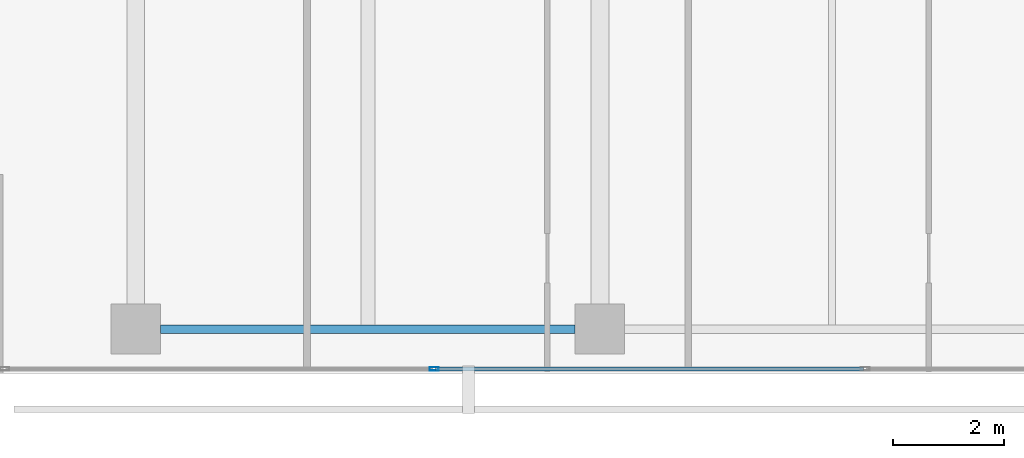
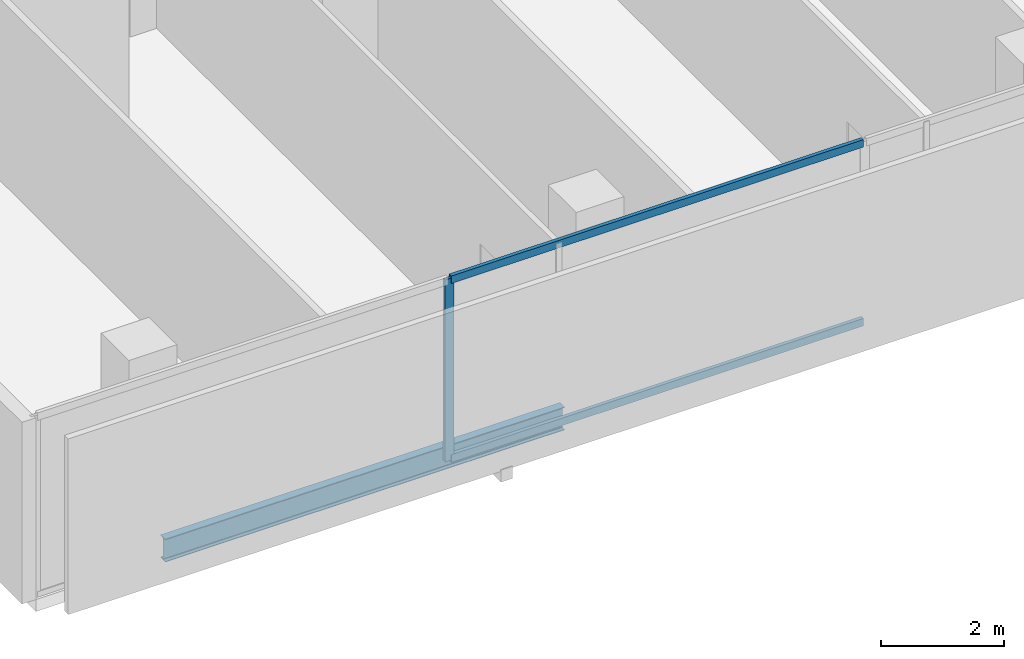
# One storey, part 3 of 40: 3 members, 1 beam, 1 element without a shape of its own.
"""IFC4 building model written with IfcOpenShell, lengths in metres."""

from ifc_helpers import new_model, si_unit, direction, frame, origin, origin_2d, place, context, subcontext, project, spatial, hollow_rectangle, i_section, extrude, material, layer, layer_set, material_profile, profile_set, type_object, element, aggregate, save


model = new_model("IFC4")

# Units and contexts
model_context = context("Model", 3, precision=1e-05, world=origin(), true_north=direction((0.0, 1.0)))
body_context = subcontext(model_context, "Body", "Model", "MODEL_VIEW")
ifc_project = project(units=[si_unit("LENGTHUNIT", "METRE"), si_unit("AREAUNIT", "SQUARE_METRE"), si_unit("VOLUMEUNIT", "CUBIC_METRE"), si_unit("PLANEANGLEUNIT", "RADIAN"), si_unit("MASSUNIT", "GRAM", prefix="KILO")], contexts=[model_context])

# Site, building, storey
site_placement = place(None, origin())
site = spatial("IfcSite", under=ifc_project, at=site_placement, CompositionType="ELEMENT")
building_placement = place(site_placement, origin())
building = spatial("IfcBuilding", under=site, at=building_placement, Name="Maruvema Waterfront Hotel and Observation Tower", CompositionType="ELEMENT")
storey_placement = place(building_placement, frame((0.0, 0.0, 77.0)))
storey = spatial("IfcBuildingStorey", under=building, at=storey_placement, Name="L18", CompositionType="ELEMENT", Elevation=77.0)

# Curtain wall, members
ifc_material_1 = material(Name="Anodised bronze aluminium and solar-control low-E IGU", Category="aluminium")
ifc_layer = layer(ifc_material_1, 0.159912109375, Name="Zone 1 Bronze Inner Thermal Curtain Wall System CW-02")
ifc_layer_set = layer_set([ifc_layer], Name="Anodised bronze aluminium and solar-control low-E IGU")
curtain_wall_type = type_object("IfcCurtainWallType", Name="Zone 1 Bronze Inner Thermal Curtain Wall System CW-02", PredefinedType="USERDEFINED", material=ifc_layer_set)
curtain_wall_placement = place(storey_placement, origin())
curtain_wall = element("IfcCurtainWall", 1, at=curtain_wall_placement, inside=storey, type_object=curtain_wall_type, Name="L18 Curtain Wall CW-L18-S", ObjectType="UNITISED CURTAIN WALL", PredefinedType="USERDEFINED")
ifc_material_2 = material(Name="Anodised architectural bronze aluminium", Category="aluminium")
ifc_material_profile_1 = material_profile(ifc_material_2, hollow_rectangle(XDim=0.070068359375, YDim=0.14990234375, WallThickness=0.00390625, at=origin_2d()), Name="ALU-T70x150")
ifc_profile_set_1 = profile_set([ifc_material_profile_1], Name="Anodised architectural bronze aluminium")
member_type_1 = type_object("IfcMemberType", Name="Curtain Wall Horizontal Transom ALU-T70x150", PredefinedType="USERDEFINED", material=ifc_profile_set_1)
member_1_placement = place(storey_placement, frame((22.22998046875, 0.080078125, 0.030029296875), z_axis=(1.0, 0.0, 0.0), x_axis=(0.0, 1.0, 0.0)))
member_1 = element("IfcMember", 2, at=member_1_placement, type_object=member_type_1, Name="CW-02 transom 2.1", ObjectType="TRANSOM", PredefinedType="USERDEFINED", context=body_context, shape_type="SweptSolid", body=[
    extrude(hollow_rectangle(XDim=0.070068359375, YDim=0.14990234375, WallThickness=0.00390625, at=origin_2d()), origin(), (0.0, 0.0, 1.0), 7.739990234375),
])
member_2_placement = place(storey_placement, frame((22.22998046875, 0.080078125, 3.580078125), z_axis=(1.0, 0.0, 0.0), x_axis=(0.0, 1.0, 0.0)))
member_2 = element("IfcMember", 3, at=member_2_placement, type_object=member_type_1, Name="CW-02 transom 2.2", ObjectType="TRANSOM", PredefinedType="USERDEFINED", context=body_context, shape_type="SweptSolid", body=[
    extrude(hollow_rectangle(XDim=0.070068359375, YDim=0.14990234375, WallThickness=0.00390625, at=origin_2d()), origin(), (0.0, 0.0, 1.0), 7.739990234375),
])
ifc_material_3 = material(Name="Anodised architectural bronze aluminium", Category="aluminium")
ifc_material_profile_2 = material_profile(ifc_material_3, hollow_rectangle(XDim=0.06494140625, YDim=0.1650390625, WallThickness=0.00390625, at=origin_2d()), Name="ALU-M65x165")
ifc_profile_set_2 = profile_set([ifc_material_profile_2], Name="Anodised architectural bronze aluminium")
member_type_2 = type_object("IfcMemberType", Name="Curtain Wall Primary Mullion ALU-M65x165", PredefinedType="MULLION", material=ifc_profile_set_2)
member_3_placement = place(storey_placement, frame((22.199951171875, 0.080078125, 0.0), z_axis=(0.0, 0.0, 1.0), x_axis=(0.0, 1.0, 0.0)))
member_3 = element("IfcMember", 4, at=member_3_placement, type_object=member_type_2, Name="CW-02 mullion 2", PredefinedType="MULLION", context=body_context, shape_type="SweptSolid", body=[
    extrude(hollow_rectangle(XDim=0.06494140625, YDim=0.1650390625, WallThickness=0.00390625, at=origin_2d()), origin(), (0.0, 0.0, 1.0), 3.610107421875),
])
aggregate(curtain_wall, [member_3, member_1, member_2])

# Beam
ifc_material_4 = material(Name="Steel ASTM A572 Grade 50", Category="steel")
ifc_material_profile_3 = material_profile(ifc_material_4, i_section(OverallWidth=0.153076171875, OverallDepth=0.455078125, WebThickness=0.008056640625, FlangeThickness=0.01318359375, FilletRadius=0.014892578125, at=origin_2d()), Name="W460x60.0")
ifc_profile_set_3 = profile_set([ifc_material_profile_3], Name="Steel ASTM A572 Grade 50")
beam_type = type_object("IfcBeamType", Name="Perimeter Spandrel Beam W460x60.0", PredefinedType="SPANDREL", material=ifc_profile_set_3)
beam_placement = place(storey_placement, frame((17.25, 0.800048828125, -0.467529296875), z_axis=(1.0, 0.0, 0.0), x_axis=(0.0, 1.0, 0.0)))
element("IfcBeam", 5, at=beam_placement, inside=storey, type_object=beam_type, Name="L18 Floor Girder EW-01", PredefinedType="SPANDREL", context=body_context, shape_type="SweptSolid", body=[
    extrude(i_section(OverallWidth=0.153076171875, OverallDepth=0.455078125, WebThickness=0.008056640625, FlangeThickness=0.01318359375, FilletRadius=0.014892578125, at=origin_2d()), origin(), (0.0, 0.0, 1.0), 7.5),
])

save(model, "model.ifc")
